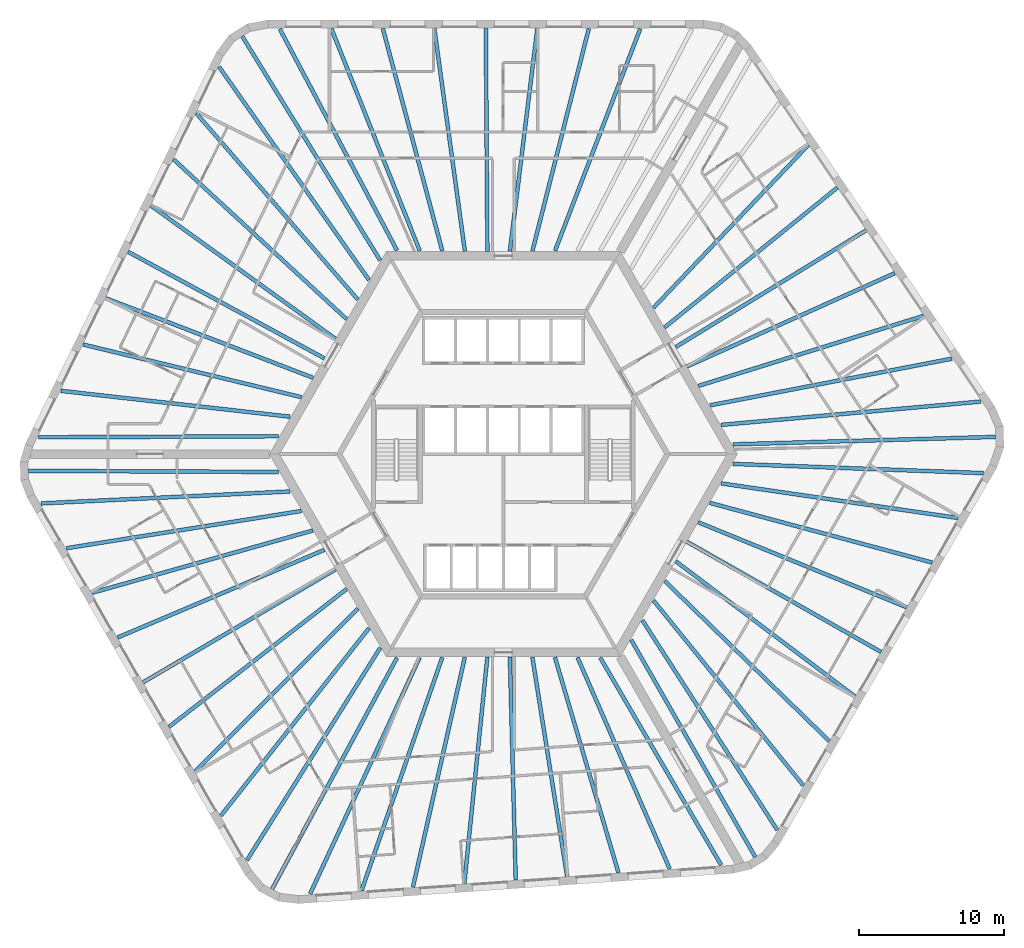
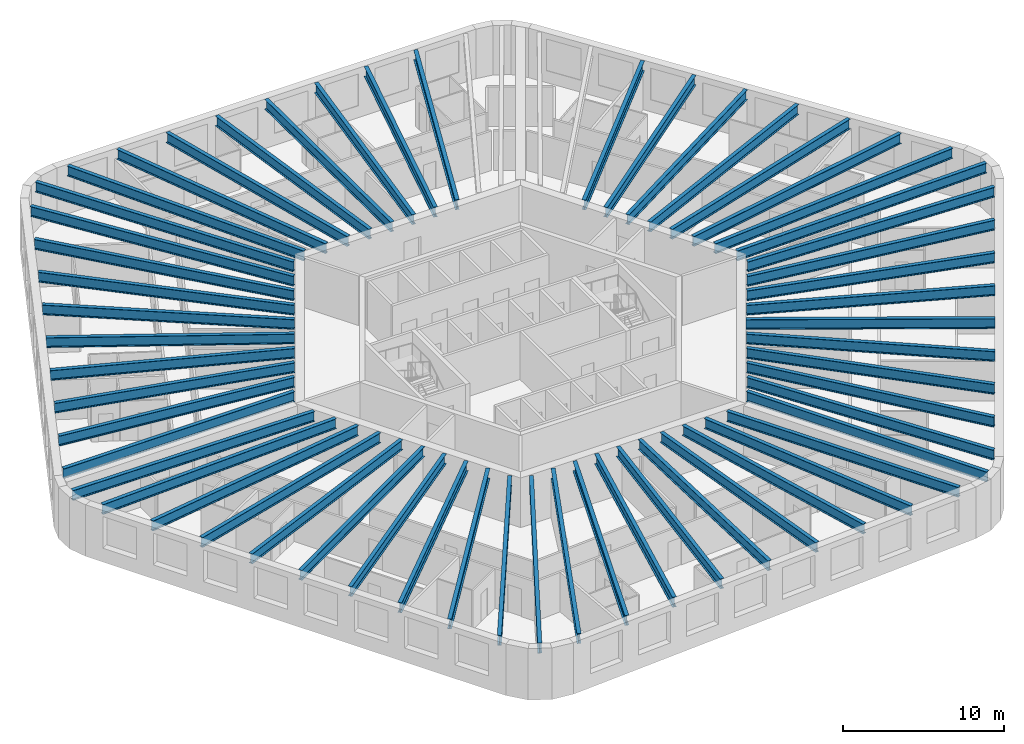
# One storey, part 1 of 12: 56 beams.
"""IFC4 building model written with IfcOpenShell, lengths in metres."""

from ifc_helpers import new_model, si_unit, direction, frame, origin, origin_2d, place, context, subcontext, project, spatial, i_section, extrude, material, material_profile, profile_set, type_object, element, save


model = new_model("IFC4")

# Units and contexts
model_context = context("Model", 3, precision=1e-05, world=origin(), true_north=direction((0.0, 1.0)))
body_context = subcontext(model_context, "Body", "Model", "MODEL_VIEW")
ifc_project = project(units=[si_unit("LENGTHUNIT", "METRE"), si_unit("AREAUNIT", "SQUARE_METRE"), si_unit("VOLUMEUNIT", "CUBIC_METRE"), si_unit("PLANEANGLEUNIT", "RADIAN"), si_unit("MASSUNIT", "GRAM", prefix="KILO")], contexts=[model_context])

# Site, building, storey
site_placement = place(None, origin())
site = spatial("IfcSite", under=ifc_project, at=site_placement, CompositionType="ELEMENT")
building_placement = place(site_placement, origin())
building = spatial("IfcBuilding", under=site, at=building_placement, Name="Tarnside Tower", CompositionType="ELEMENT")
storey_placement = place(building_placement, frame((0.0, 0.0, 96.0)))
storey = spatial("IfcBuildingStorey", under=building, at=storey_placement, Name="L21", CompositionType="ELEMENT", Elevation=96.0)

# Beams
ifc_material = material(Name="Steel S355", Category="steel")
ifc_material_profile_1 = material_profile(ifc_material, i_section(OverallWidth=0.26513671875, OverallDepth=0.75390625, WebThickness=0.0126953125, FlangeThickness=0.017578125, FilletRadius=0.0166015625, at=origin_2d()), Name="UB 762x267x147")
ifc_profile_set_1 = profile_set([ifc_material_profile_1], Name="Steel S355")
beam_type_1 = type_object("IfcBeamType", Name="Floor beam UB 762x267x147", PredefinedType="BEAM", material=ifc_profile_set_1)
beam_1_placement = place(storey_placement, frame((2.3525390625, 29.43017578125, 3.373046875), z_axis=(-0.122329629165, -0.992489527314, 0.0), x_axis=(0.992489527314, -0.122329629165, 0.0)))
element("IfcBeam", 1, at=beam_1_placement, inside=storey, type_object=beam_type_1, Name="Floor beam F1.04", PredefinedType="BEAM", context=body_context, shape_type="SweptSolid", body=[
    extrude(i_section(OverallWidth=0.26513671875, OverallDepth=0.75390625, WebThickness=0.0126953125, FlangeThickness=0.017578125, FilletRadius=0.0166015625, at=origin_2d()), origin(), (0.0, 0.0, 1.0), 15.527099609375),
])
beam_2_placement = place(storey_placement, frame((-1.208984375, 29.449951171875, 3.373046875), z_axis=(0.007000128723, -0.999975498799, 0.0), x_axis=(0.999975498799, 0.007000128723, 0.0)))
element("IfcBeam", 2, at=beam_2_placement, inside=storey, type_object=beam_type_1, Name="Floor beam F1.05", PredefinedType="BEAM", context=body_context, shape_type="SweptSolid", body=[
    extrude(i_section(OverallWidth=0.26513671875, OverallDepth=0.75390625, WebThickness=0.0126953125, FlangeThickness=0.017578125, FilletRadius=0.0166015625, at=origin_2d()), origin(), (0.0, 0.0, 1.0), 15.450439453125),
])
beam_3_placement = place(storey_placement, frame((-4.7705078125, 29.43017578125, 3.373046875), z_axis=(0.136000560933, -0.990708760144, 0.0), x_axis=(0.990708760144, 0.136000560933, 0.0)))
element("IfcBeam", 3, at=beam_3_placement, inside=storey, type_object=beam_type_1, Name="Floor beam F1.06", PredefinedType="BEAM", context=body_context, shape_type="SweptSolid", body=[
    extrude(i_section(OverallWidth=0.26513671875, OverallDepth=0.75390625, WebThickness=0.0126953125, FlangeThickness=0.017578125, FilletRadius=0.0166015625, at=origin_2d()), origin(), (0.0, 0.0, 1.0), 15.554931640625),
])
beam_4_placement = place(storey_placement, frame((-24.348876953125, 17.168212890625, 3.373046875), z_axis=(0.811027744825, -0.585007689799, 0.0), x_axis=(0.585007689799, 0.811027744825, 0.0)))
element("IfcBeam", 4, at=beam_4_placement, inside=storey, type_object=beam_type_1, Name="Floor beam F2.04", PredefinedType="BEAM", context=body_context, shape_type="SweptSolid", body=[
    extrude(i_section(OverallWidth=0.26513671875, OverallDepth=0.75390625, WebThickness=0.0126953125, FlangeThickness=0.017578125, FilletRadius=0.0166015625, at=origin_2d()), origin(), (0.0, 0.0, 1.0), 15.731689453125),
])
beam_5_placement = place(storey_placement, frame((-25.92626953125, 13.978271484375, 3.373046875), z_axis=(0.878894567679, -0.477016078245, 0.0), x_axis=(0.477016078245, 0.878894567679, 0.0)))
element("IfcBeam", 5, at=beam_5_placement, inside=storey, type_object=beam_type_1, Name="Floor beam F2.05", PredefinedType="BEAM", context=body_context, shape_type="SweptSolid", body=[
    extrude(i_section(OverallWidth=0.26513671875, OverallDepth=0.75390625, WebThickness=0.0126953125, FlangeThickness=0.017578125, FilletRadius=0.0166015625, at=origin_2d()), origin(), (0.0, 0.0, 1.0), 15.427490234375),
])
beam_6_placement = place(storey_placement, frame((-27.487548828125, 10.77734375, 3.373046875), z_axis=(0.933617702452, -0.358270827264, 0.0), x_axis=(0.358270827264, 0.933617702452, 0.0)))
element("IfcBeam", 6, at=beam_6_placement, inside=storey, type_object=beam_type_1, Name="Floor beam F2.06", PredefinedType="BEAM", context=body_context, shape_type="SweptSolid", body=[
    extrude(i_section(OverallWidth=0.26513671875, OverallDepth=0.75390625, WebThickness=0.0126953125, FlangeThickness=0.017578125, FilletRadius=0.0166015625, at=origin_2d()), origin(), (0.0, 0.0, 1.0), 15.363037109375),
])
beam_7_placement = place(storey_placement, frame((-29.029296875, 7.572509765625, 3.373046875), z_axis=(0.972101750991, -0.234559556873, 0.0), x_axis=(0.234559556873, 0.972101750991, 0.0)))
element("IfcBeam", 7, at=beam_7_placement, inside=storey, type_object=beam_type_1, Name="Floor beam F2.07", PredefinedType="BEAM", context=body_context, shape_type="SweptSolid", body=[
    extrude(i_section(OverallWidth=0.26513671875, OverallDepth=0.75390625, WebThickness=0.0126953125, FlangeThickness=0.017578125, FilletRadius=0.0166015625, at=origin_2d()), origin(), (0.0, 0.0, 1.0), 15.522216796875),
])
beam_8_placement = place(storey_placement, frame((-26.66357421875, -12.677734375, 3.373046875), z_axis=(0.920684021494, 0.390308765679, 0.0), x_axis=(-0.390308765679, 0.920684021494, 0.0)))
element("IfcBeam", 8, at=beam_8_placement, inside=storey, type_object=beam_type_1, Name="Floor beam F3.04", PredefinedType="BEAM", context=body_context, shape_type="SweptSolid", body=[
    extrude(i_section(OverallWidth=0.26513671875, OverallDepth=0.75390625, WebThickness=0.0126953125, FlangeThickness=0.017578125, FilletRadius=0.0166015625, at=origin_2d()), origin(), (0.0, 0.0, 1.0), 15.52685546875),
])
beam_9_placement = place(storey_placement, frame((-24.89990234375, -15.772216796875, 3.373046875), z_axis=(0.862497502004, 0.506061319443, 0.0), x_axis=(-0.506061319443, 0.862497502004, 0.0)))
element("IfcBeam", 9, at=beam_9_placement, inside=storey, type_object=beam_type_1, Name="Floor beam F3.05", PredefinedType="BEAM", context=body_context, shape_type="SweptSolid", body=[
    extrude(i_section(OverallWidth=0.26513671875, OverallDepth=0.75390625, WebThickness=0.0126953125, FlangeThickness=0.017578125, FilletRadius=0.0166015625, at=origin_2d()), origin(), (0.0, 0.0, 1.0), 15.450439453125),
])
beam_10_placement = place(storey_placement, frame((-23.10205078125, -18.846435546875, 3.373046875), z_axis=(0.789983963813, 0.613127504617, 0.0), x_axis=(-0.613127504617, 0.789983963813, 0.0)))
element("IfcBeam", 10, at=beam_10_placement, inside=storey, type_object=beam_type_1, Name="Floor beam F3.06", PredefinedType="BEAM", context=body_context, shape_type="SweptSolid", body=[
    extrude(i_section(OverallWidth=0.26513671875, OverallDepth=0.75390625, WebThickness=0.0126953125, FlangeThickness=0.017578125, FilletRadius=0.0166015625, at=origin_2d()), origin(), (0.0, 0.0, 1.0), 15.554931640625),
])
beam_11_placement = place(storey_placement, frame((-2.693603515625, -29.6708984375, 3.373046875), z_axis=(0.101123115756, 0.994873919379, 0.0), x_axis=(-0.994873919379, 0.101123115756, 0.0)))
element("IfcBeam", 11, at=beam_11_placement, inside=storey, type_object=beam_type_1, Name="Floor beam F4.04", PredefinedType="BEAM", context=body_context, shape_type="SweptSolid", body=[
    extrude(i_section(OverallWidth=0.26513671875, OverallDepth=0.75390625, WebThickness=0.0126953125, FlangeThickness=0.017578125, FilletRadius=0.0166015625, at=origin_2d()), origin(), (0.0, 0.0, 1.0), 15.7314453125),
])
beam_12_placement = place(storey_placement, frame((0.857666015625, -29.44189453125, 3.373046875), z_axis=(-0.026333316788, 0.999653218085, 0.0), x_axis=(-0.999653218085, -0.026333316788, 0.0)))
element("IfcBeam", 12, at=beam_12_placement, inside=storey, type_object=beam_type_1, Name="Floor beam F4.05", PredefinedType="BEAM", context=body_context, shape_type="SweptSolid", body=[
    extrude(i_section(OverallWidth=0.26513671875, OverallDepth=0.75390625, WebThickness=0.0126953125, FlangeThickness=0.017578125, FilletRadius=0.0166015625, at=origin_2d()), origin(), (0.0, 0.0, 1.0), 15.42724609375),
])
beam_13_placement = place(storey_placement, frame((4.41015625, -29.193603515625, 3.373046875), z_axis=(-0.156513375907, 0.98767583911, 0.0), x_axis=(-0.98767583911, -0.156513375907, 0.0)))
element("IfcBeam", 13, at=beam_13_placement, inside=storey, type_object=beam_type_1, Name="Floor beam F4.06", PredefinedType="BEAM", context=body_context, shape_type="SweptSolid", body=[
    extrude(i_section(OverallWidth=0.26513671875, OverallDepth=0.75390625, WebThickness=0.0126953125, FlangeThickness=0.017578125, FilletRadius=0.0166015625, at=origin_2d()), origin(), (0.0, 0.0, 1.0), 15.36328125),
])
beam_14_placement = place(storey_placement, frame((7.956787109375, -28.926513671875, 3.373046875), z_axis=(-0.282920694328, 0.959143305623, 0.0), x_axis=(-0.959143305623, -0.282920694328, 0.0)))
element("IfcBeam", 14, at=beam_14_placement, inside=storey, type_object=beam_type_1, Name="Floor beam F4.07", PredefinedType="BEAM", context=body_context, shape_type="SweptSolid", body=[
    extrude(i_section(OverallWidth=0.26513671875, OverallDepth=0.75390625, WebThickness=0.0126953125, FlangeThickness=0.017578125, FilletRadius=0.0166015625, at=origin_2d()), origin(), (0.0, 0.0, 1.0), 15.5224609375),
])
beam_15_placement = place(storey_placement, frame((24.31103515625, -16.75244140625, 3.373046875), z_axis=(-0.798361152727, 0.602178935049, 0.0), x_axis=(-0.602178935049, -0.798361152727, 0.0)))
element("IfcBeam", 15, at=beam_15_placement, inside=storey, type_object=beam_type_1, Name="Floor beam F5.04", PredefinedType="BEAM", context=body_context, shape_type="SweptSolid", body=[
    extrude(i_section(OverallWidth=0.26513671875, OverallDepth=0.75390625, WebThickness=0.0126953125, FlangeThickness=0.017578125, FilletRadius=0.0166015625, at=origin_2d()), origin(), (0.0, 0.0, 1.0), 15.527099609375),
])
beam_16_placement = place(storey_placement, frame((26.10888671875, -13.677978515625, 3.373046875), z_axis=(-0.869502520992, 0.493928502911, 0.0), x_axis=(-0.493928502911, -0.869502520992, 0.0)))
element("IfcBeam", 16, at=beam_16_placement, inside=storey, type_object=beam_type_1, Name="Floor beam F5.05", PredefinedType="BEAM", context=body_context, shape_type="SweptSolid", body=[
    extrude(i_section(OverallWidth=0.26513671875, OverallDepth=0.75390625, WebThickness=0.0126953125, FlangeThickness=0.017578125, FilletRadius=0.0166015625, at=origin_2d()), origin(), (0.0, 0.0, 1.0), 15.4501953125),
])
beam_17_placement = place(storey_placement, frame((27.87255859375, -10.58349609375, 3.373046875), z_axis=(-0.925981621163, 0.377568586177, 0.0), x_axis=(-0.377568586177, -0.925981621163, 0.0)))
element("IfcBeam", 17, at=beam_17_placement, inside=storey, type_object=beam_type_1, Name="Floor beam F5.06", PredefinedType="BEAM", context=body_context, shape_type="SweptSolid", body=[
    extrude(i_section(OverallWidth=0.26513671875, OverallDepth=0.75390625, WebThickness=0.0126953125, FlangeThickness=0.017578125, FilletRadius=0.0166015625, at=origin_2d()), origin(), (0.0, 0.0, 1.0), 15.554931640625),
])
beam_18_placement = place(storey_placement, frame((27.04248046875, 12.502685546875, 3.373046875), z_axis=(-0.912146413919, -0.409864513681, 0.0), x_axis=(0.409864513681, -0.912146413919, 0.0)))
element("IfcBeam", 18, at=beam_18_placement, inside=storey, type_object=beam_type_1, Name="Floor beam F6.04", PredefinedType="BEAM", context=body_context, shape_type="SweptSolid", body=[
    extrude(i_section(OverallWidth=0.26513671875, OverallDepth=0.75390625, WebThickness=0.0126953125, FlangeThickness=0.017578125, FilletRadius=0.0166015625, at=origin_2d()), origin(), (0.0, 0.0, 1.0), 15.7314453125),
])
beam_19_placement = place(storey_placement, frame((25.068603515625, 15.463623046875, 3.373046875), z_axis=(-0.852558490017, -0.522631821744, 0.0), x_axis=(0.522631821744, -0.852558490017, 0.0)))
element("IfcBeam", 19, at=beam_19_placement, inside=storey, type_object=beam_type_1, Name="Floor beam F6.05", PredefinedType="BEAM", context=body_context, shape_type="SweptSolid", body=[
    extrude(i_section(OverallWidth=0.26513671875, OverallDepth=0.75390625, WebThickness=0.0126953125, FlangeThickness=0.017578125, FilletRadius=0.0166015625, at=origin_2d()), origin(), (0.0, 0.0, 1.0), 15.42724609375),
])
beam_20_placement = place(storey_placement, frame((23.0771484375, 18.416259765625, 3.373046875), z_axis=(-0.777079423039, -0.629402550272, 0.0), x_axis=(0.629402550272, -0.777079423039, 0.0)))
element("IfcBeam", 20, at=beam_20_placement, inside=storey, type_object=beam_type_1, Name="Floor beam F6.06", PredefinedType="BEAM", context=body_context, shape_type="SweptSolid", body=[
    extrude(i_section(OverallWidth=0.26513671875, OverallDepth=0.75390625, WebThickness=0.0126953125, FlangeThickness=0.017578125, FilletRadius=0.0166015625, at=origin_2d()), origin(), (0.0, 0.0, 1.0), 15.36328125),
])
beam_21_placement = place(storey_placement, frame((21.072509765625, 21.35400390625, 3.373046875), z_axis=(-0.689174694318, -0.724595225427, 0.0), x_axis=(0.724595225427, -0.689174694318, 0.0)))
element("IfcBeam", 21, at=beam_21_placement, inside=storey, type_object=beam_type_1, Name="Floor beam F6.07", PredefinedType="BEAM", context=body_context, shape_type="SweptSolid", body=[
    extrude(i_section(OverallWidth=0.26513671875, OverallDepth=0.75390625, WebThickness=0.0126953125, FlangeThickness=0.017578125, FilletRadius=0.0166015625, at=origin_2d()), origin(), (0.0, 0.0, 1.0), 15.522216796875),
])
ifc_material_profile_2 = material_profile(ifc_material, i_section(OverallWidth=0.2666015625, OverallDepth=0.76220703125, WebThickness=0.014404296875, FlangeThickness=0.021484375, FilletRadius=0.0166015625, at=origin_2d()), Name="UB 762x267x173")
ifc_profile_set_2 = profile_set([ifc_material_profile_2], Name="Steel S355")
beam_type_2 = type_object("IfcBeamType", Name="Floor beam UB 762x267x173", PredefinedType="BEAM", material=ifc_profile_set_2)
beam_22_placement = place(storey_placement, frame((9.4619140625, 29.39404296875, 3.368896484375), z_axis=(-0.358299847269, -0.933606565662, 0.0), x_axis=(0.933606565662, -0.358299847269, 0.0)))
element("IfcBeam", 22, at=beam_22_placement, inside=storey, type_object=beam_type_2, Name="Floor beam F1.02", PredefinedType="BEAM", context=body_context, shape_type="SweptSolid", body=[
    extrude(i_section(OverallWidth=0.2666015625, OverallDepth=0.76220703125, WebThickness=0.014404296875, FlangeThickness=0.021484375, FilletRadius=0.0166015625, at=origin_2d()), origin(), (0.0, 0.0, 1.0), 16.428955078125),
])
beam_23_placement = place(storey_placement, frame((5.909423828125, 29.4111328125, 3.368896484375), z_axis=(-0.245747281389, -0.969333933013, 0.0), x_axis=(0.969333933013, -0.245747281389, 0.0)))
element("IfcBeam", 23, at=beam_23_placement, inside=storey, type_object=beam_type_2, Name="Floor beam F1.03", PredefinedType="BEAM", context=body_context, shape_type="SweptSolid", body=[
    extrude(i_section(OverallWidth=0.2666015625, OverallDepth=0.76220703125, WebThickness=0.014404296875, FlangeThickness=0.021484375, FilletRadius=0.0166015625, at=origin_2d()), origin(), (0.0, 0.0, 1.0), 15.858642578125),
])
beam_24_placement = place(storey_placement, frame((-8.3271484375, 29.411376953125, 3.368896484375), z_axis=(0.258447478572, -0.966025310652, 0.0), x_axis=(0.966025310652, 0.258447478572, 0.0)))
element("IfcBeam", 24, at=beam_24_placement, inside=storey, type_object=beam_type_2, Name="Floor beam F1.07", PredefinedType="BEAM", context=body_context, shape_type="SweptSolid", body=[
    extrude(i_section(OverallWidth=0.2666015625, OverallDepth=0.76220703125, WebThickness=0.014404296875, FlangeThickness=0.021484375, FilletRadius=0.0166015625, at=origin_2d()), origin(), (0.0, 0.0, 1.0), 15.91357421875),
])
beam_25_placement = place(storey_placement, frame((-11.87939453125, 29.394287109375, 3.368896484375), z_axis=(0.369638204477, -0.929175762593, 0.0), x_axis=(0.929175762593, 0.369638204477, 0.0)))
element("IfcBeam", 25, at=beam_25_placement, inside=storey, type_object=beam_type_2, Name="Floor beam F1.08", PredefinedType="BEAM", context=body_context, shape_type="SweptSolid", body=[
    extrude(i_section(OverallWidth=0.2666015625, OverallDepth=0.76220703125, WebThickness=0.014404296875, FlangeThickness=0.021484375, FilletRadius=0.0166015625, at=origin_2d()), origin(), (0.0, 0.0, 1.0), 16.507568359375),
])
beam_26_placement = place(storey_placement, frame((-15.44580078125, 29.37939453125, 3.368896484375), z_axis=(0.467741993634, -0.883865050441, 0.0), x_axis=(0.883865050441, 0.467741993634, 0.0)))
element("IfcBeam", 26, at=beam_26_placement, inside=storey, type_object=beam_type_2, Name="Floor beam F1.09", PredefinedType="BEAM", context=body_context, shape_type="SweptSolid", body=[
    extrude(i_section(OverallWidth=0.2666015625, OverallDepth=0.76220703125, WebThickness=0.014404296875, FlangeThickness=0.021484375, FilletRadius=0.0166015625, at=origin_2d()), origin(), (0.0, 0.0, 1.0), 17.320068359375),
])
beam_27_placement = place(storey_placement, frame((-18.042236328125, 28.8701171875, 3.368896484375), z_axis=(0.524382977035, -0.851482526771, 0.0), x_axis=(0.851482526771, 0.524382977035, 0.0)))
element("IfcBeam", 27, at=beam_27_placement, inside=storey, type_object=beam_type_2, Name="Floor beam C1", PredefinedType="BEAM", context=body_context, shape_type="SweptSolid", body=[
    extrude(i_section(OverallWidth=0.2666015625, OverallDepth=0.76220703125, WebThickness=0.014404296875, FlangeThickness=0.021484375, FilletRadius=0.0166015625, at=origin_2d()), origin(), (0.0, 0.0, 1.0), 18.1728515625),
])
beam_28_placement = place(storey_placement, frame((-19.638671875, 26.75537109375, 3.368896484375), z_axis=(0.575411427849, -0.817864101609, 0.0), x_axis=(0.817864101609, 0.575411427849, 0.0)))
element("IfcBeam", 28, at=beam_28_placement, inside=storey, type_object=beam_type_2, Name="Floor beam F2.01", PredefinedType="BEAM", context=body_context, shape_type="SweptSolid", body=[
    extrude(i_section(OverallWidth=0.2666015625, OverallDepth=0.76220703125, WebThickness=0.014404296875, FlangeThickness=0.021484375, FilletRadius=0.0166015625, at=origin_2d()), origin(), (0.0, 0.0, 1.0), 18.00048828125),
])
beam_29_placement = place(storey_placement, frame((-21.21630859375, 23.554931640625, 3.368896484375), z_axis=(0.654980748073, -0.755645564834, 0.0), x_axis=(0.755645564834, 0.654980748073, 0.0)))
element("IfcBeam", 29, at=beam_29_placement, inside=storey, type_object=beam_type_2, Name="Floor beam F2.02", PredefinedType="BEAM", context=body_context, shape_type="SweptSolid", body=[
    extrude(i_section(OverallWidth=0.2666015625, OverallDepth=0.76220703125, WebThickness=0.014404296875, FlangeThickness=0.021484375, FilletRadius=0.0166015625, at=origin_2d()), origin(), (0.0, 0.0, 1.0), 17.0302734375),
])
beam_30_placement = place(storey_placement, frame((-22.7890625, 20.368408203125, 3.368896484375), z_axis=(0.734715474517, -0.678375391288, 0.0), x_axis=(0.678375391288, 0.734715474517, 0.0)))
element("IfcBeam", 30, at=beam_30_placement, inside=storey, type_object=beam_type_2, Name="Floor beam F2.03", PredefinedType="BEAM", context=body_context, shape_type="SweptSolid", body=[
    extrude(i_section(OverallWidth=0.2666015625, OverallDepth=0.76220703125, WebThickness=0.014404296875, FlangeThickness=0.021484375, FilletRadius=0.0166015625, at=origin_2d()), origin(), (0.0, 0.0, 1.0), 16.2802734375),
])
beam_31_placement = place(storey_placement, frame((-30.570556640625, 4.372802734375, 3.368896484375), z_axis=(0.993687302776, -0.112185312326, 0.0), x_axis=(0.112185312326, 0.993687302776, 0.0)))
element("IfcBeam", 31, at=beam_31_placement, inside=storey, type_object=beam_type_2, Name="Floor beam F2.08", PredefinedType="BEAM", context=body_context, shape_type="SweptSolid", body=[
    extrude(i_section(OverallWidth=0.2666015625, OverallDepth=0.76220703125, WebThickness=0.014404296875, FlangeThickness=0.021484375, FilletRadius=0.0166015625, at=origin_2d()), origin(), (0.0, 0.0, 1.0), 15.934326171875),
])
beam_32_placement = place(storey_placement, frame((-32.119384765625, 1.162109375, 3.368896484375), z_axis=(0.999990508787, 0.004356872304, 0.0), x_axis=(-0.004356872304, 0.999990508787, 0.0)))
element("IfcBeam", 32, at=beam_32_placement, inside=storey, type_object=beam_type_2, Name="Floor beam F2.09", PredefinedType="BEAM", context=body_context, shape_type="SweptSolid", body=[
    extrude(i_section(OverallWidth=0.2666015625, OverallDepth=0.76220703125, WebThickness=0.014404296875, FlangeThickness=0.021484375, FilletRadius=0.0166015625, at=origin_2d()), origin(), (0.0, 0.0, 1.0), 16.586669921875),
])
beam_33_placement = place(storey_placement, frame((-32.80712890625, -1.1572265625, 3.368896484375), z_axis=(0.999990027056, -0.004466070929, 0.0), x_axis=(0.004466070929, 0.999990027056, 0.0)))
element("IfcBeam", 33, at=beam_33_placement, inside=storey, type_object=beam_type_2, Name="Floor beam C2", PredefinedType="BEAM", context=body_context, shape_type="SweptSolid", body=[
    extrude(i_section(OverallWidth=0.2666015625, OverallDepth=0.76220703125, WebThickness=0.014404296875, FlangeThickness=0.021484375, FilletRadius=0.0166015625, at=origin_2d()), origin(), (0.0, 0.0, 1.0), 17.2744140625),
])
beam_34_placement = place(storey_placement, frame((-31.95703125, -3.406494140625, 3.368896484375), z_axis=(0.998853818522, 0.047864905982, 0.0), x_axis=(-0.047864905982, 0.998853818522, 0.0)))
element("IfcBeam", 34, at=beam_34_placement, inside=storey, type_object=beam_type_2, Name="Floor beam F3.01", PredefinedType="BEAM", context=body_context, shape_type="SweptSolid", body=[
    extrude(i_section(OverallWidth=0.2666015625, OverallDepth=0.76220703125, WebThickness=0.014404296875, FlangeThickness=0.021484375, FilletRadius=0.0166015625, at=origin_2d()), origin(), (0.0, 0.0, 1.0), 17.2197265625),
])
beam_35_placement = place(storey_placement, frame((-30.18701171875, -6.502685546875, 3.368896484375), z_axis=(0.987678477078, 0.156496728136, 0.0), x_axis=(-0.156496728136, 0.987678477078, 0.0)))
element("IfcBeam", 35, at=beam_35_placement, inside=storey, type_object=beam_type_2, Name="Floor beam F3.02", PredefinedType="BEAM", context=body_context, shape_type="SweptSolid", body=[
    extrude(i_section(OverallWidth=0.2666015625, OverallDepth=0.76220703125, WebThickness=0.014404296875, FlangeThickness=0.021484375, FilletRadius=0.0166015625, at=origin_2d()), origin(), (0.0, 0.0, 1.0), 16.4287109375),
])
beam_36_placement = place(storey_placement, frame((-28.425537109375, -9.587890625, 3.368896484375), z_axis=(0.962342240503, 0.271840784547, 0.0), x_axis=(-0.271840784547, 0.962342240503, 0.0)))
element("IfcBeam", 36, at=beam_36_placement, inside=storey, type_object=beam_type_2, Name="Floor beam F3.03", PredefinedType="BEAM", context=body_context, shape_type="SweptSolid", body=[
    extrude(i_section(OverallWidth=0.2666015625, OverallDepth=0.76220703125, WebThickness=0.014404296875, FlangeThickness=0.021484375, FilletRadius=0.0166015625, at=origin_2d()), origin(), (0.0, 0.0, 1.0), 15.858642578125),
])
beam_37_placement = place(storey_placement, frame((-21.307373046875, -21.917236328125, 3.368896484375), z_axis=(0.707367544857, 0.706845921318, 0.0), x_axis=(-0.706845921318, 0.707367544857, 0.0)))
element("IfcBeam", 37, at=beam_37_placement, inside=storey, type_object=beam_type_2, Name="Floor beam F3.07", PredefinedType="BEAM", context=body_context, shape_type="SweptSolid", body=[
    extrude(i_section(OverallWidth=0.2666015625, OverallDepth=0.76220703125, WebThickness=0.014404296875, FlangeThickness=0.021484375, FilletRadius=0.0166015625, at=origin_2d()), origin(), (0.0, 0.0, 1.0), 15.913330078125),
])
beam_38_placement = place(storey_placement, frame((-19.516357421875, -24.985107421875, 3.368896484375), z_axis=(0.619872995007, 0.784702153725, 0.0), x_axis=(-0.784702153725, 0.619872995007, 0.0)))
element("IfcBeam", 38, at=beam_38_placement, inside=storey, type_object=beam_type_2, Name="Floor beam F3.08", PredefinedType="BEAM", context=body_context, shape_type="SweptSolid", body=[
    extrude(i_section(OverallWidth=0.2666015625, OverallDepth=0.76220703125, WebThickness=0.014404296875, FlangeThickness=0.021484375, FilletRadius=0.0166015625, at=origin_2d()), origin(), (0.0, 0.0, 1.0), 16.507568359375),
])
beam_39_placement = place(storey_placement, frame((-17.72021484375, -28.066162109375, 3.368896484375), z_axis=(0.531583085704, 0.847006152866, 0.0), x_axis=(-0.847006152866, 0.531583085704, 0.0)))
element("IfcBeam", 39, at=beam_39_placement, inside=storey, type_object=beam_type_2, Name="Floor beam F3.09", PredefinedType="BEAM", context=body_context, shape_type="SweptSolid", body=[
    extrude(i_section(OverallWidth=0.2666015625, OverallDepth=0.76220703125, WebThickness=0.014404296875, FlangeThickness=0.021484375, FilletRadius=0.0166015625, at=origin_2d()), origin(), (0.0, 0.0, 1.0), 17.320068359375),
])
beam_40_placement = place(storey_placement, frame((-15.981201171875, -30.060302734375, 3.368896484375), z_axis=(0.475208200571, 0.879873380726, 0.0), x_axis=(-0.879873380726, 0.475208200571, 0.0)))
element("IfcBeam", 40, at=beam_40_placement, inside=storey, type_object=beam_type_2, Name="Floor beam C3", PredefinedType="BEAM", context=body_context, shape_type="SweptSolid", body=[
    extrude(i_section(OverallWidth=0.2666015625, OverallDepth=0.76220703125, WebThickness=0.014404296875, FlangeThickness=0.021484375, FilletRadius=0.0166015625, at=origin_2d()), origin(), (0.0, 0.0, 1.0), 18.173095703125),
])
beam_41_placement = place(storey_placement, frame((-13.3515625, -30.38525390625, 3.368896484375), z_axis=(0.42059199668, 0.907249895193, 0.0), x_axis=(-0.907249895193, 0.42059199668, 0.0)))
element("IfcBeam", 41, at=beam_41_placement, inside=storey, type_object=beam_type_2, Name="Floor beam F4.01", PredefinedType="BEAM", context=body_context, shape_type="SweptSolid", body=[
    extrude(i_section(OverallWidth=0.2666015625, OverallDepth=0.76220703125, WebThickness=0.014404296875, FlangeThickness=0.021484375, FilletRadius=0.0166015625, at=origin_2d()), origin(), (0.0, 0.0, 1.0), 18.000244140625),
])
beam_42_placement = place(storey_placement, frame((-9.791015625, -30.151123046875, 3.368896484375), z_axis=(0.326912128872, 0.945054739153, 0.0), x_axis=(-0.945054739153, 0.326912128872, 0.0)))
element("IfcBeam", 42, at=beam_42_placement, inside=storey, type_object=beam_type_2, Name="Floor beam F4.02", PredefinedType="BEAM", context=body_context, shape_type="SweptSolid", body=[
    extrude(i_section(OverallWidth=0.2666015625, OverallDepth=0.76220703125, WebThickness=0.014404296875, FlangeThickness=0.021484375, FilletRadius=0.0166015625, at=origin_2d()), origin(), (0.0, 0.0, 1.0), 17.0302734375),
])
beam_43_placement = place(storey_placement, frame((-6.2451171875, -29.920166015625, 3.368896484375), z_axis=(0.220139818673, 0.975468328668, 0.0), x_axis=(-0.975468328668, 0.220139818673, 0.0)))
element("IfcBeam", 43, at=beam_43_placement, inside=storey, type_object=beam_type_2, Name="Floor beam F4.03", PredefinedType="BEAM", context=body_context, shape_type="SweptSolid", body=[
    extrude(i_section(OverallWidth=0.2666015625, OverallDepth=0.76220703125, WebThickness=0.014404296875, FlangeThickness=0.021484375, FilletRadius=0.0166015625, at=origin_2d()), origin(), (0.0, 0.0, 1.0), 16.280517578125),
])
beam_44_placement = place(storey_placement, frame((11.498291015625, -28.6611328125, 3.368896484375), z_axis=(-0.399695682658, 0.916647893831, 0.0), x_axis=(-0.916647893831, -0.399695682658, 0.0)))
element("IfcBeam", 44, at=beam_44_placement, inside=storey, type_object=beam_type_2, Name="Floor beam F4.08", PredefinedType="BEAM", context=body_context, shape_type="SweptSolid", body=[
    extrude(i_section(OverallWidth=0.2666015625, OverallDepth=0.76220703125, WebThickness=0.014404296875, FlangeThickness=0.021484375, FilletRadius=0.0166015625, at=origin_2d()), origin(), (0.0, 0.0, 1.0), 15.934326171875),
])
beam_45_placement = place(storey_placement, frame((15.05322265625, -28.3974609375, 3.368896484375), z_axis=(-0.503758455062, 0.86384455717, 0.0), x_axis=(-0.86384455717, -0.503758455062, 0.0)))
element("IfcBeam", 45, at=beam_45_placement, inside=storey, type_object=beam_type_2, Name="Floor beam F4.09", PredefinedType="BEAM", context=body_context, shape_type="SweptSolid", body=[
    extrude(i_section(OverallWidth=0.2666015625, OverallDepth=0.76220703125, WebThickness=0.014404296875, FlangeThickness=0.021484375, FilletRadius=0.0166015625, at=origin_2d()), origin(), (0.0, 0.0, 1.0), 16.586669921875),
])
beam_46_placement = place(storey_placement, frame((17.40576171875, -27.833251953125, 3.368896484375), z_axis=(-0.496126762138, 0.868250099851, 0.0), x_axis=(-0.868250099851, -0.496126762138, 0.0)))
element("IfcBeam", 46, at=beam_46_placement, inside=storey, type_object=beam_type_2, Name="Floor beam C4", PredefinedType="BEAM", context=body_context, shape_type="SweptSolid", body=[
    extrude(i_section(OverallWidth=0.2666015625, OverallDepth=0.76220703125, WebThickness=0.014404296875, FlangeThickness=0.021484375, FilletRadius=0.0166015625, at=origin_2d()), origin(), (0.0, 0.0, 1.0), 17.2744140625),
])
beam_47_placement = place(storey_placement, frame((18.9287109375, -25.972412109375, 3.368896484375), z_axis=(-0.540872954463, 0.841104302171, 0.0), x_axis=(-0.841104302171, -0.540872954463, 0.0)))
element("IfcBeam", 47, at=beam_47_placement, inside=storey, type_object=beam_type_2, Name="Floor beam F5.01", PredefinedType="BEAM", context=body_context, shape_type="SweptSolid", body=[
    extrude(i_section(OverallWidth=0.2666015625, OverallDepth=0.76220703125, WebThickness=0.014404296875, FlangeThickness=0.021484375, FilletRadius=0.0166015625, at=origin_2d()), origin(), (0.0, 0.0, 1.0), 17.2197265625),
])
beam_48_placement = place(storey_placement, frame((20.72509765625, -22.89111328125, 3.368896484375), z_axis=(-0.62939015525, 0.777089462336, 0.0), x_axis=(-0.777089462336, -0.62939015525, 0.0)))
element("IfcBeam", 48, at=beam_48_placement, inside=storey, type_object=beam_type_2, Name="Floor beam F5.02", PredefinedType="BEAM", context=body_context, shape_type="SweptSolid", body=[
    extrude(i_section(OverallWidth=0.2666015625, OverallDepth=0.76220703125, WebThickness=0.014404296875, FlangeThickness=0.021484375, FilletRadius=0.0166015625, at=origin_2d()), origin(), (0.0, 0.0, 1.0), 16.4287109375),
])
beam_49_placement = place(storey_placement, frame((22.51611328125, -19.8232421875, 3.368896484375), z_axis=(-0.716594696052, 0.697489814686, 0.0), x_axis=(-0.697489814686, -0.716594696052, 0.0)))
element("IfcBeam", 49, at=beam_49_placement, inside=storey, type_object=beam_type_2, Name="Floor beam F5.03", PredefinedType="BEAM", context=body_context, shape_type="SweptSolid", body=[
    extrude(i_section(OverallWidth=0.2666015625, OverallDepth=0.76220703125, WebThickness=0.014404296875, FlangeThickness=0.021484375, FilletRadius=0.0166015625, at=origin_2d()), origin(), (0.0, 0.0, 1.0), 15.858642578125),
])
beam_50_placement = place(storey_placement, frame((29.634521484375, -7.494140625, 3.368896484375), z_axis=(-0.965827851395, 0.259184415946, 0.0), x_axis=(-0.259184415946, -0.965827851395, 0.0)))
element("IfcBeam", 50, at=beam_50_placement, inside=storey, type_object=beam_type_2, Name="Floor beam F5.07", PredefinedType="BEAM", context=body_context, shape_type="SweptSolid", body=[
    extrude(i_section(OverallWidth=0.2666015625, OverallDepth=0.76220703125, WebThickness=0.014404296875, FlangeThickness=0.021484375, FilletRadius=0.0166015625, at=origin_2d()), origin(), (0.0, 0.0, 1.0), 15.913330078125),
])
beam_51_placement = place(storey_placement, frame((31.39599609375, -4.4091796875, 3.368896484375), z_axis=(-0.989507887412, 0.144478859177, 0.0), x_axis=(-0.144478859177, -0.989507887412, 0.0)))
element("IfcBeam", 51, at=beam_51_placement, inside=storey, type_object=beam_type_2, Name="Floor beam F5.08", PredefinedType="BEAM", context=body_context, shape_type="SweptSolid", body=[
    extrude(i_section(OverallWidth=0.2666015625, OverallDepth=0.76220703125, WebThickness=0.014404296875, FlangeThickness=0.021484375, FilletRadius=0.0166015625, at=origin_2d()), origin(), (0.0, 0.0, 1.0), 16.507568359375),
])
beam_52_placement = place(storey_placement, frame((33.166259765625, -1.31298828125, 3.368896484375), z_axis=(-0.999320941149, 0.036846391708, 0.0), x_axis=(-0.036846391708, -0.999320941149, 0.0)))
element("IfcBeam", 52, at=beam_52_placement, inside=storey, type_object=beam_type_2, Name="Floor beam F5.09", PredefinedType="BEAM", context=body_context, shape_type="SweptSolid", body=[
    extrude(i_section(OverallWidth=0.2666015625, OverallDepth=0.76220703125, WebThickness=0.014404296875, FlangeThickness=0.021484375, FilletRadius=0.0166015625, at=origin_2d()), origin(), (0.0, 0.0, 1.0), 17.320068359375),
])
beam_53_placement = place(storey_placement, frame((34.0234375, 1.18994140625, 3.368896484375), z_axis=(-0.999597013499, -0.028386803343, 0.0), x_axis=(0.028386803343, -0.999597013499, 0.0)))
element("IfcBeam", 53, at=beam_53_placement, inside=storey, type_object=beam_type_2, Name="Floor beam C5", PredefinedType="BEAM", context=body_context, shape_type="SweptSolid", body=[
    extrude(i_section(OverallWidth=0.2666015625, OverallDepth=0.76220703125, WebThickness=0.014404296875, FlangeThickness=0.021484375, FilletRadius=0.0166015625, at=origin_2d()), origin(), (0.0, 0.0, 1.0), 18.1728515625),
])
beam_54_placement = place(storey_placement, frame((32.990234375, 3.6298828125, 3.368896484375), z_axis=(-0.995997485142, -0.089381259731, 0.0), x_axis=(0.089381259731, -0.995997485142, 0.0)))
element("IfcBeam", 54, at=beam_54_placement, inside=storey, type_object=beam_type_2, Name="Floor beam F6.01", PredefinedType="BEAM", context=body_context, shape_type="SweptSolid", body=[
    extrude(i_section(OverallWidth=0.2666015625, OverallDepth=0.76220703125, WebThickness=0.014404296875, FlangeThickness=0.021484375, FilletRadius=0.0166015625, at=origin_2d()), origin(), (0.0, 0.0, 1.0), 18.000244140625),
])
beam_55_placement = place(storey_placement, frame((31.007080078125, 6.596435546875, 3.368896484375), z_axis=(-0.981896564922, -0.189417886679, 0.0), x_axis=(0.189417886679, -0.981896564922, 0.0)))
element("IfcBeam", 55, at=beam_55_placement, inside=storey, type_object=beam_type_2, Name="Floor beam F6.02", PredefinedType="BEAM", context=body_context, shape_type="SweptSolid", body=[
    extrude(i_section(OverallWidth=0.2666015625, OverallDepth=0.76220703125, WebThickness=0.014404296875, FlangeThickness=0.021484375, FilletRadius=0.0166015625, at=origin_2d()), origin(), (0.0, 0.0, 1.0), 17.0302734375),
])
beam_56_placement = place(storey_placement, frame((29.0341796875, 9.5517578125, 3.368896484375), z_axis=(-0.954846945108, -0.297098151152, 0.0), x_axis=(0.297098151152, -0.954846945108, 0.0)))
element("IfcBeam", 56, at=beam_56_placement, inside=storey, type_object=beam_type_2, Name="Floor beam F6.03", PredefinedType="BEAM", context=body_context, shape_type="SweptSolid", body=[
    extrude(i_section(OverallWidth=0.2666015625, OverallDepth=0.76220703125, WebThickness=0.014404296875, FlangeThickness=0.021484375, FilletRadius=0.0166015625, at=origin_2d()), origin(), (0.0, 0.0, 1.0), 16.280517578125),
])

save(model, "model.ifc")
